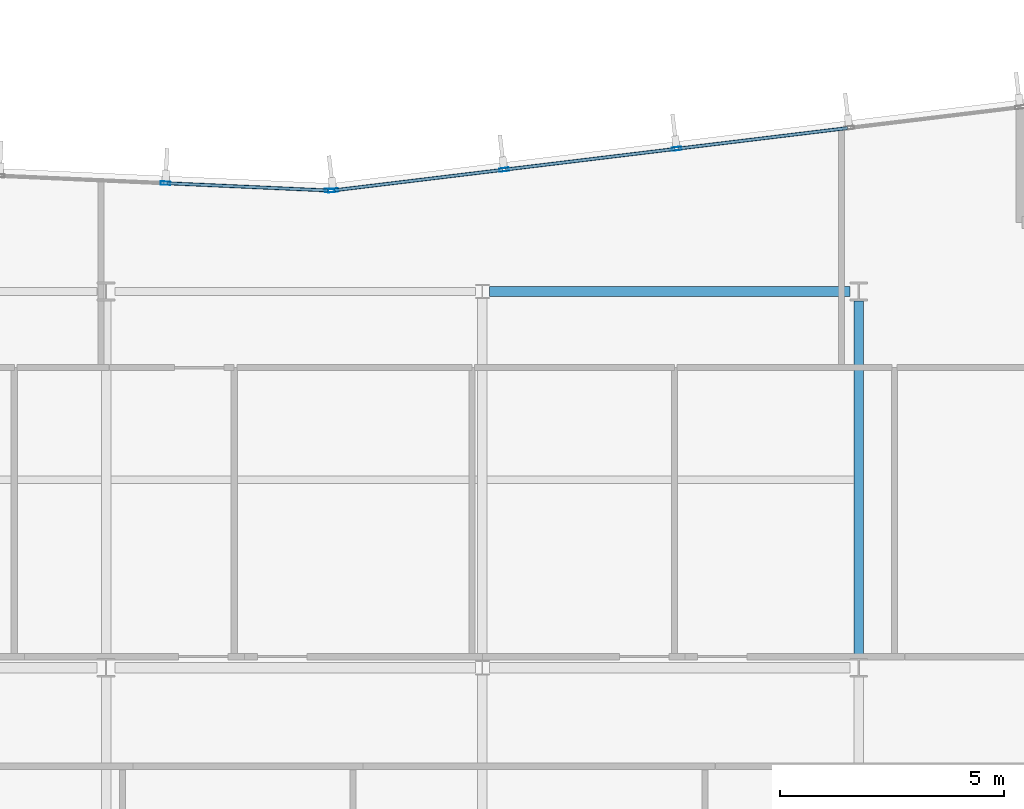
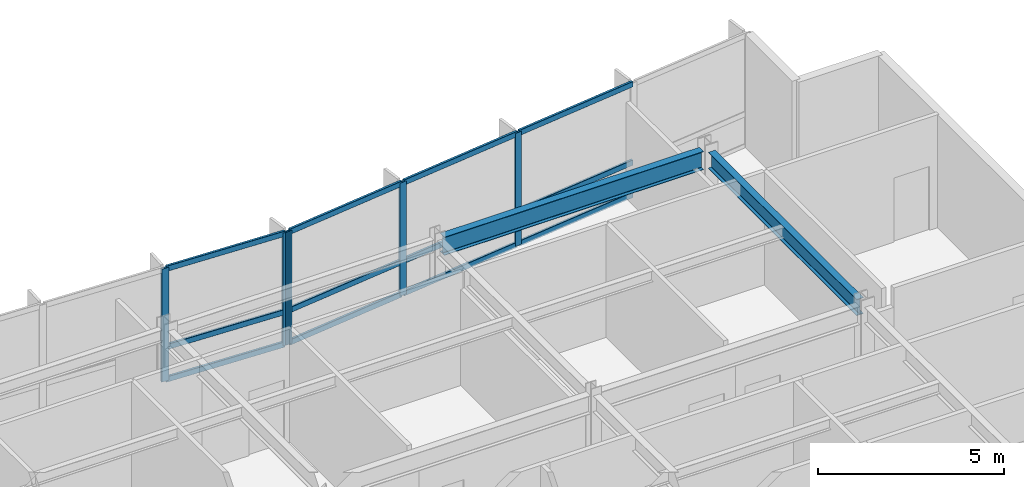
# One storey, part 6 of 17: 17 members, 2 beams, 2 elements without a shape of their own.
"""IFC4 building model written with IfcOpenShell, lengths in metres."""

from ifc_helpers import new_model, si_unit, direction, frame, origin, origin_2d, place, context, subcontext, project, spatial, hollow_rectangle, i_section, extrude, material, layer, layer_set, material_profile, profile_set, type_object, element, aggregate, save


model = new_model("IFC4")

# Units and contexts
model_context = context("Model", 3, precision=1e-05, world=origin(), true_north=direction((0.0, 1.0)))
body_context = subcontext(model_context, "Body", "Model", "MODEL_VIEW")
ifc_project = project(units=[si_unit("LENGTHUNIT", "METRE"), si_unit("AREAUNIT", "SQUARE_METRE"), si_unit("VOLUMEUNIT", "CUBIC_METRE"), si_unit("PLANEANGLEUNIT", "RADIAN"), si_unit("MASSUNIT", "GRAM", prefix="KILO")], contexts=[model_context])

# Site, building, storey
site_placement = place(None, origin())
site = spatial("IfcSite", under=ifc_project, at=site_placement, CompositionType="ELEMENT")
building_placement = place(site_placement, origin())
building = spatial("IfcBuilding", under=site, at=building_placement, Name="Varnakote Quay Hospital", CompositionType="ELEMENT")
storey_placement = place(building_placement, frame((0.0, 0.0, 131.0)))
storey = spatial("IfcBuildingStorey", under=building, at=storey_placement, Name="L32", CompositionType="ELEMENT", Elevation=131.0)

# Beams
ifc_material_1 = material(Name="Structural steel AS/NZS 3679.1 Grade 350 L0 (fy 340 MPa)", Category="steel")
ifc_material_profile_1 = material_profile(ifc_material_1, i_section(OverallWidth=0.208984375, OverallDepth=0.532958984375, WebThickness=0.01025390625, FlangeThickness=0.015625, FilletRadius=0.013916015625, at=origin_2d()), Name="530UB92.4")
ifc_profile_set_1 = profile_set([ifc_material_profile_1], Name="Structural steel AS/NZS 3679.1 Grade 350 L0 (fy 340 MPa)")
beam_type_1 = type_object("IfcBeamType", Name="BM-STL-530UB92-4", PredefinedType="BEAM", material=ifc_profile_set_1)
beam_1_placement = place(storey_placement, frame((50.39990234375, 20.610107421875, 3.443603515625), z_axis=(0.0, 1.0, 0.0), x_axis=(-1.0, 0.0, 0.0)))
element("IfcBeam", 1, at=beam_1_placement, inside=storey, type_object=beam_type_1, Name="L32 Primary Tie Beam", PredefinedType="BEAM", context=body_context, shape_type="SweptSolid", body=[
    extrude(i_section(OverallWidth=0.208984375, OverallDepth=0.532958984375, WebThickness=0.01025390625, FlangeThickness=0.015625, FilletRadius=0.013916015625, at=origin_2d()), origin(), (0.0, 0.0, 1.0), 7.97998046875),
])
ifc_material_2 = material(Name="Structural steel AS/NZS 3679.1 Grade 350 L0 (fy 340 MPa)", Category="steel")
ifc_material_profile_2 = material_profile(ifc_material_2, i_section(OverallWidth=0.22802734375, OverallDepth=0.60205078125, WebThickness=0.010498046875, FlangeThickness=0.014892578125, FilletRadius=0.013916015625, at=origin_2d()), Name="610UB101")
ifc_profile_set_2 = profile_set([ifc_material_profile_2], Name="Structural steel AS/NZS 3679.1 Grade 350 L0 (fy 340 MPa)")
beam_type_2 = type_object("IfcBeamType", Name="BM-STL-610UB101", PredefinedType="BEAM", material=ifc_profile_set_2)
beam_2_placement = place(storey_placement, frame((42.154541015625, 28.800048828125, 3.408935546875), z_axis=(1.0, 0.0, 0.0), x_axis=(0.0, 1.0, 0.0)))
element("IfcBeam", 2, at=beam_2_placement, inside=storey, type_object=beam_type_2, Name="L32 Primary Floor Beam", PredefinedType="BEAM", context=body_context, shape_type="SweptSolid", body=[
    extrude(i_section(OverallWidth=0.22802734375, OverallDepth=0.60205078125, WebThickness=0.010498046875, FlangeThickness=0.014892578125, FilletRadius=0.013916015625, at=origin_2d()), origin(), (0.0, 0.0, 1.0), 8.04541015625),
])

# Curtain wall, members
ifc_material_3 = material(Name="Anodised aluminium 6063-T6 Bronze", Category="aluminium")
ifc_layer = layer(ifc_material_3, 0.205078125)
ifc_layer_set = layer_set([ifc_layer], Name="Anodised aluminium 6063-T6 Bronze")
curtain_wall_type = type_object("IfcCurtainWallType", Name="CW-SYS-3", PredefinedType="NOTDEFINED", material=ifc_layer_set)
curtain_wall_1_placement = place(storey_placement, origin())
curtain_wall_1 = element("IfcCurtainWall", 3, at=curtain_wall_1_placement, inside=storey, type_object=curtain_wall_type, Name="L32 Unitised Bronze Curtain Wall 1", PredefinedType="NOTDEFINED")
ifc_material_4 = material(Name="Anodised aluminium 6063-T6 Bronze", Category="aluminium")
ifc_material_profile_3 = material_profile(ifc_material_4, hollow_rectangle(XDim=0.074951171875, YDim=0.219970703125, WallThickness=0.00439453125, InnerFilletRadius=0.00439453125, OuterFilletRadius=0.009033203125, at=origin_2d()), Name="CW-MULL-220x75")
ifc_profile_set_3 = profile_set([ifc_material_profile_3], Name="Anodised aluminium 6063-T6 Bronze")
member_type_1 = type_object("IfcMemberType", Name="CW-MULL-220x75", PredefinedType="MULLION", material=ifc_profile_set_3)
member_1_placement = place(storey_placement, frame((46.3349609375, 31.985595703125, 0.0), z_axis=(0.0, 0.0, 1.0), x_axis=(0.12032713492, -0.992734295067, 0.0)))
member_1 = element("IfcMember", 4, at=member_1_placement, type_object=member_type_1, Name="-3-L32-1 mullion 3", PredefinedType="MULLION", context=body_context, shape_type="SweptSolid", body=[
    extrude(hollow_rectangle(XDim=0.074951171875, YDim=0.219970703125, WallThickness=0.00439453125, InnerFilletRadius=0.00439453125, OuterFilletRadius=0.009033203125, at=origin_2d()), origin(), (0.0, 0.0, 1.0), 3.7099609375),
])
member_2_placement = place(storey_placement, frame((42.482666015625, 31.5185546875, 0.0), z_axis=(0.0, 0.0, 1.0), x_axis=(0.12032713492, -0.992734295067, 0.0)))
member_2 = element("IfcMember", 5, at=member_2_placement, type_object=member_type_1, Name="-3-L32-1 mullion 4", PredefinedType="MULLION", context=body_context, shape_type="SweptSolid", body=[
    extrude(hollow_rectangle(XDim=0.074951171875, YDim=0.219970703125, WallThickness=0.00439453125, InnerFilletRadius=0.00439453125, OuterFilletRadius=0.009033203125, at=origin_2d()), origin(), (0.0, 0.0, 1.0), 3.7099609375),
])
member_3_placement = place(storey_placement, frame((38.667236328125, 31.05615234375, 0.0), z_axis=(0.0, 0.0, 1.0), x_axis=(0.12032713492, -0.992734295067, 0.0)))
member_3 = element("IfcMember", 6, at=member_3_placement, type_object=member_type_1, Name="-3-L32-1 mullion 5", PredefinedType="MULLION", context=body_context, shape_type="SweptSolid", body=[
    extrude(hollow_rectangle(XDim=0.074951171875, YDim=0.219970703125, WallThickness=0.00439453125, InnerFilletRadius=0.00439453125, OuterFilletRadius=0.009033203125, at=origin_2d()), origin(), (0.0, 0.0, 1.0), 3.7099609375),
])

curtain_wall_2_placement = place(storey_placement, origin())
curtain_wall_2 = element("IfcCurtainWall", 7, at=curtain_wall_2_placement, inside=storey, type_object=curtain_wall_type, Name="L32 Unitised Bronze Curtain Wall 2", PredefinedType="NOTDEFINED")
member_4_placement = place(storey_placement, frame((38.592529296875, 31.05322265625, 0.0), z_axis=(0.0, 0.0, 1.0), x_axis=(-0.044782334659, -0.998996768014, 0.0)))
member_4 = element("IfcMember", 8, at=member_4_placement, type_object=member_type_1, Name="-3-L32-2 mullion 1", PredefinedType="MULLION", context=body_context, shape_type="SweptSolid", body=[
    extrude(hollow_rectangle(XDim=0.074951171875, YDim=0.219970703125, WallThickness=0.00439453125, InnerFilletRadius=0.00439453125, OuterFilletRadius=0.009033203125, at=origin_2d()), origin(), (0.0, 0.0, 1.0), 3.7099609375),
])
member_5_placement = place(storey_placement, frame((34.927001953125, 31.217529296875, 0.0), z_axis=(0.0, 0.0, 1.0), x_axis=(-0.044782334659, -0.998996768014, 0.0)))
member_5 = element("IfcMember", 9, at=member_5_placement, type_object=member_type_1, Name="-3-L32-2 mullion 2", PredefinedType="MULLION", context=body_context, shape_type="SweptSolid", body=[
    extrude(hollow_rectangle(XDim=0.074951171875, YDim=0.219970703125, WallThickness=0.00439453125, InnerFilletRadius=0.00439453125, OuterFilletRadius=0.009033203125, at=origin_2d()), origin(), (0.0, 0.0, 1.0), 3.7099609375),
])

# Member
ifc_material_5 = material(Name="Anodised aluminium 6063-T6 Bronze", Category="aluminium")
ifc_material_profile_4 = material_profile(ifc_material_5, hollow_rectangle(XDim=0.074951171875, YDim=0.179931640625, WallThickness=0.004150390625, InnerFilletRadius=0.004150390625, OuterFilletRadius=0.00830078125, at=origin_2d()), Name="CW-TRAN-180x75")
ifc_profile_set_4 = profile_set([ifc_material_profile_4], Name="Anodised aluminium 6063-T6 Bronze")
member_type_2 = type_object("IfcMemberType", Name="CW-TRAN-180x75", PredefinedType="USERDEFINED", material=ifc_profile_set_4)
member_6_placement = place(storey_placement, frame((50.150390625, 32.447998046875, 0.03759765625), z_axis=(-0.992731924158, -0.120346694005, 0.0), x_axis=(0.120346694005, -0.992731924158, 0.0)))
member_6 = element("IfcMember", 10, at=member_6_placement, type_object=member_type_2, Name="-3-L32-1 transom 2.1", ObjectType="TRANSOM", PredefinedType="USERDEFINED", context=body_context, shape_type="SweptSolid", body=[
    extrude(hollow_rectangle(XDim=0.074951171875, YDim=0.179931640625, WallThickness=0.004150390625, InnerFilletRadius=0.004150390625, OuterFilletRadius=0.00830078125, at=origin_2d()), origin(), (0.0, 0.0, 1.0), 3.8056640625),
])

member_7_placement = place(storey_placement, frame((50.150390625, 32.447998046875, 1.10009765625), z_axis=(-0.992731924158, -0.120346694005, 0.0), x_axis=(0.120346694005, -0.992731924158, 0.0)))
member_7 = element("IfcMember", 11, at=member_7_placement, type_object=member_type_2, Name="-3-L32-1 transom 2.2", ObjectType="TRANSOM", PredefinedType="USERDEFINED", context=body_context, shape_type="SweptSolid", body=[
    extrude(hollow_rectangle(XDim=0.074951171875, YDim=0.179931640625, WallThickness=0.004150390625, InnerFilletRadius=0.004150390625, OuterFilletRadius=0.00830078125, at=origin_2d()), origin(), (0.0, 0.0, 1.0), 3.8056640625),
])

member_8_placement = place(storey_placement, frame((50.150390625, 32.447998046875, 3.672607421875), z_axis=(-0.992731924158, -0.120346694005, 0.0), x_axis=(0.120346694005, -0.992731924158, 0.0)))
member_8 = element("IfcMember", 12, at=member_8_placement, type_object=member_type_2, Name="-3-L32-1 transom 2.3", ObjectType="TRANSOM", PredefinedType="USERDEFINED", context=body_context, shape_type="SweptSolid", body=[
    extrude(hollow_rectangle(XDim=0.074951171875, YDim=0.179931640625, WallThickness=0.004150390625, InnerFilletRadius=0.004150390625, OuterFilletRadius=0.00830078125, at=origin_2d()), origin(), (0.0, 0.0, 1.0), 3.8056640625),
])

member_9_placement = place(storey_placement, frame((46.2978515625, 31.98095703125, 0.03759765625), z_axis=(-0.992731924158, -0.120346694005, 0.0), x_axis=(0.120346694005, -0.992731924158, 0.0)))
member_9 = element("IfcMember", 13, at=member_9_placement, type_object=member_type_2, Name="-3-L32-1 transom 3.1", ObjectType="TRANSOM", PredefinedType="USERDEFINED", context=body_context, shape_type="SweptSolid", body=[
    extrude(hollow_rectangle(XDim=0.074951171875, YDim=0.179931640625, WallThickness=0.004150390625, InnerFilletRadius=0.004150390625, OuterFilletRadius=0.00830078125, at=origin_2d()), origin(), (0.0, 0.0, 1.0), 3.8056640625),
])

member_10_placement = place(storey_placement, frame((46.2978515625, 31.98095703125, 1.10009765625), z_axis=(-0.992731924158, -0.120346694005, 0.0), x_axis=(0.120346694005, -0.992731924158, 0.0)))
member_10 = element("IfcMember", 14, at=member_10_placement, type_object=member_type_2, Name="-3-L32-1 transom 3.2", ObjectType="TRANSOM", PredefinedType="USERDEFINED", context=body_context, shape_type="SweptSolid", body=[
    extrude(hollow_rectangle(XDim=0.074951171875, YDim=0.179931640625, WallThickness=0.004150390625, InnerFilletRadius=0.004150390625, OuterFilletRadius=0.00830078125, at=origin_2d()), origin(), (0.0, 0.0, 1.0), 3.8056640625),
])

member_11_placement = place(storey_placement, frame((46.2978515625, 31.98095703125, 3.672607421875), z_axis=(-0.992731924158, -0.120346694005, 0.0), x_axis=(0.120346694005, -0.992731924158, 0.0)))
member_11 = element("IfcMember", 15, at=member_11_placement, type_object=member_type_2, Name="-3-L32-1 transom 3.3", ObjectType="TRANSOM", PredefinedType="USERDEFINED", context=body_context, shape_type="SweptSolid", body=[
    extrude(hollow_rectangle(XDim=0.074951171875, YDim=0.179931640625, WallThickness=0.004150390625, InnerFilletRadius=0.004150390625, OuterFilletRadius=0.00830078125, at=origin_2d()), origin(), (0.0, 0.0, 1.0), 3.8056640625),
])

member_12_placement = place(storey_placement, frame((42.4453125, 31.513916015625, 0.03759765625), z_axis=(-0.992735423717, -0.120317822859, 0.0), x_axis=(0.120317822859, -0.992735423717, 0.0)))
member_12 = element("IfcMember", 16, at=member_12_placement, type_object=member_type_2, Name="-3-L32-1 transom 4.1", ObjectType="TRANSOM", PredefinedType="USERDEFINED", context=body_context, shape_type="SweptSolid", body=[
    extrude(hollow_rectangle(XDim=0.074951171875, YDim=0.179931640625, WallThickness=0.004150390625, InnerFilletRadius=0.004150390625, OuterFilletRadius=0.00830078125, at=origin_2d()), origin(), (0.0, 0.0, 1.0), 3.76806640625),
])

member_13_placement = place(storey_placement, frame((42.4453125, 31.513916015625, 1.10009765625), z_axis=(-0.992735423717, -0.120317822859, 0.0), x_axis=(0.120317822859, -0.992735423717, 0.0)))
member_13 = element("IfcMember", 17, at=member_13_placement, type_object=member_type_2, Name="-3-L32-1 transom 4.2", ObjectType="TRANSOM", PredefinedType="USERDEFINED", context=body_context, shape_type="SweptSolid", body=[
    extrude(hollow_rectangle(XDim=0.074951171875, YDim=0.179931640625, WallThickness=0.004150390625, InnerFilletRadius=0.004150390625, OuterFilletRadius=0.00830078125, at=origin_2d()), origin(), (0.0, 0.0, 1.0), 3.76806640625),
])

member_14_placement = place(storey_placement, frame((42.4453125, 31.513916015625, 3.672607421875), z_axis=(-0.992735423717, -0.120317822859, 0.0), x_axis=(0.120317822859, -0.992735423717, 0.0)))
member_14 = element("IfcMember", 18, at=member_14_placement, type_object=member_type_2, Name="-3-L32-1 transom 4.3", ObjectType="TRANSOM", PredefinedType="USERDEFINED", context=body_context, shape_type="SweptSolid", body=[
    extrude(hollow_rectangle(XDim=0.074951171875, YDim=0.179931640625, WallThickness=0.004150390625, InnerFilletRadius=0.004150390625, OuterFilletRadius=0.00830078125, at=origin_2d()), origin(), (0.0, 0.0, 1.0), 3.76806640625),
])

aggregate(curtain_wall_1, [member_1, member_2, member_3, member_6, member_7, member_8, member_9, member_10, member_11, member_12, member_13, member_14])

member_15_placement = place(storey_placement, frame((38.55517578125, 31.054931640625, 0.03759765625), z_axis=(-0.998997740237, 0.044760641203, 0.0), x_axis=(-0.044760641203, -0.998997740237, 0.0)))
member_15 = element("IfcMember", 19, at=member_15_placement, type_object=member_type_2, Name="-3-L32-2 transom 1.1", ObjectType="TRANSOM", PredefinedType="USERDEFINED", context=body_context, shape_type="SweptSolid", body=[
    extrude(hollow_rectangle(XDim=0.074951171875, YDim=0.179931640625, WallThickness=0.004150390625, InnerFilletRadius=0.004150390625, OuterFilletRadius=0.00830078125, at=origin_2d()), origin(), (0.0, 0.0, 1.0), 3.594482421875),
])

member_16_placement = place(storey_placement, frame((38.55517578125, 31.054931640625, 1.10009765625), z_axis=(-0.998997740237, 0.044760641203, 0.0), x_axis=(-0.044760641203, -0.998997740237, 0.0)))
member_16 = element("IfcMember", 20, at=member_16_placement, type_object=member_type_2, Name="-3-L32-2 transom 1.2", ObjectType="TRANSOM", PredefinedType="USERDEFINED", context=body_context, shape_type="SweptSolid", body=[
    extrude(hollow_rectangle(XDim=0.074951171875, YDim=0.179931640625, WallThickness=0.004150390625, InnerFilletRadius=0.004150390625, OuterFilletRadius=0.00830078125, at=origin_2d()), origin(), (0.0, 0.0, 1.0), 3.594482421875),
])

member_17_placement = place(storey_placement, frame((38.55517578125, 31.054931640625, 3.672607421875), z_axis=(-0.998997740237, 0.044760641203, 0.0), x_axis=(-0.044760641203, -0.998997740237, 0.0)))
member_17 = element("IfcMember", 21, at=member_17_placement, type_object=member_type_2, Name="-3-L32-2 transom 1.3", ObjectType="TRANSOM", PredefinedType="USERDEFINED", context=body_context, shape_type="SweptSolid", body=[
    extrude(hollow_rectangle(XDim=0.074951171875, YDim=0.179931640625, WallThickness=0.004150390625, InnerFilletRadius=0.004150390625, OuterFilletRadius=0.00830078125, at=origin_2d()), origin(), (0.0, 0.0, 1.0), 3.594482421875),
])

aggregate(curtain_wall_2, [member_4, member_5, member_15, member_16, member_17])

save(model, "model.ifc")
